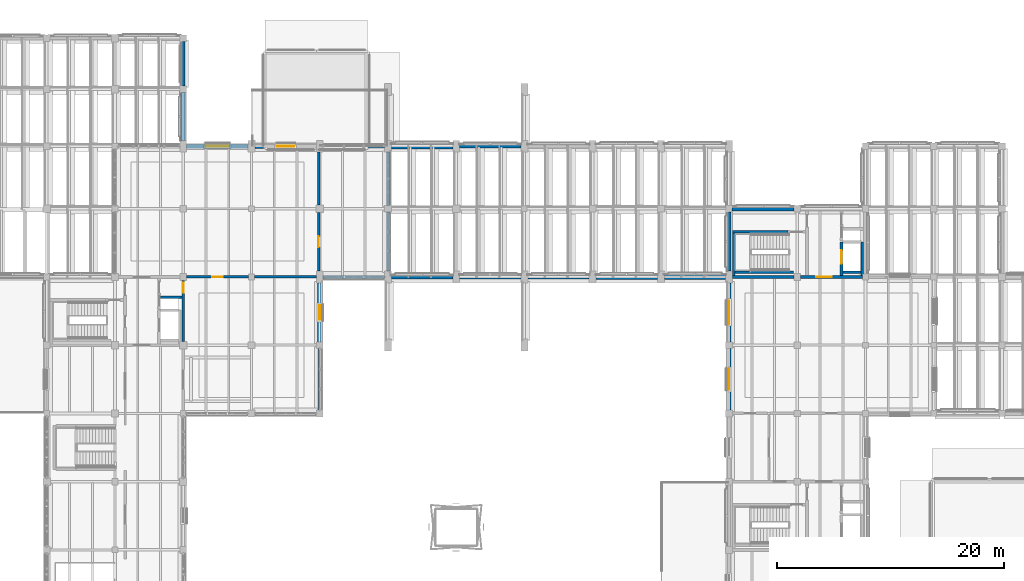
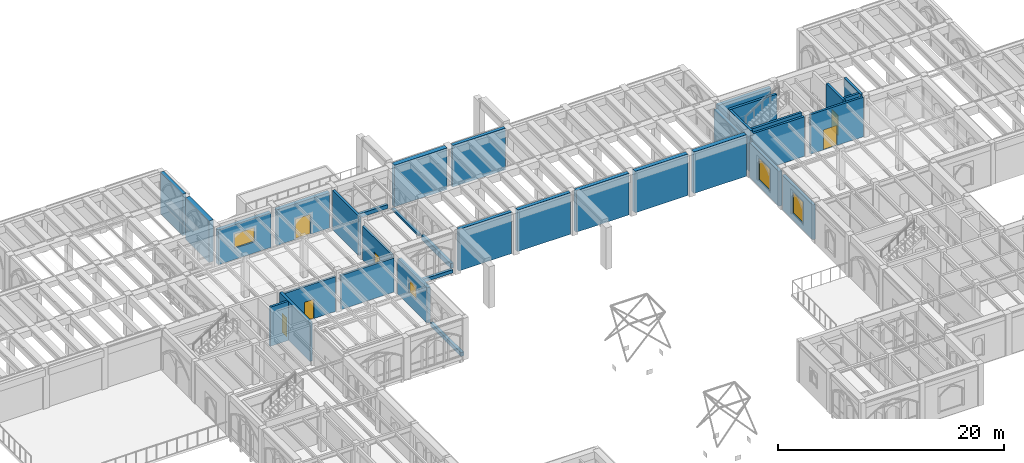
# One storey, part 82 of 127: 35 walls, 6 doors, 4 windows, 10 openings.
"""IFC4 building model written with IfcOpenShell, lengths in metres."""

from ifc_helpers import new_model, si_unit, direction, frame, frame_2d, origin, place, context, subcontext, project, spatial, rectangle, extrude, material, layer, layer_set, type_object, element, fill, save


model = new_model("IFC4")

# Units and contexts
model_context = context("Model", 3, precision=1e-05, world=origin(), true_north=direction((0.0, 1.0)))
body_context = subcontext(model_context, "Body", "Model", "MODEL_VIEW")
ifc_project = project(units=[si_unit("LENGTHUNIT", "METRE"), si_unit("AREAUNIT", "SQUARE_METRE"), si_unit("VOLUMEUNIT", "CUBIC_METRE"), si_unit("PLANEANGLEUNIT", "RADIAN"), si_unit("MASSUNIT", "GRAM", prefix="KILO")], contexts=[model_context])

# Site, building, storey
site_placement = place(None, origin())
site = spatial("IfcSite", under=ifc_project, at=site_placement, CompositionType="ELEMENT")
building_placement = place(site_placement, origin())
building = spatial("IfcBuilding", under=site, at=building_placement, Name="Cumevento Cable Car Station", CompositionType="ELEMENT")
storey_placement = place(building_placement, frame((0.0, 0.0, 4.5)))
storey = spatial("IfcBuildingStorey", under=building, at=storey_placement, Name="L02", CompositionType="ELEMENT", Elevation=4.5)

# Walls
ifc_material_1 = material(Name="Gnaisse Facoidal Stone Ashlar 85 MPa", Category="masonry")
ifc_layer_1 = layer(ifc_material_1, 0.294921875)
ifc_layer_set_1 = layer_set([ifc_layer_1], Name="Gnaisse Facoidal Stone Ashlar 85 MPa")
wall_type_1 = type_object("IfcWallType", Name="Exterior Envelope Wall EW-295 295", PredefinedType="SOLIDWALL", material=ifc_layer_set_1)
wall_1_placement = place(storey_placement, frame((82.0, 38.72509765625, 0.0), z_axis=(0.0, 0.0, 1.0), x_axis=(0.0, -1.0, 0.0)))
element("IfcWall", 1, at=wall_1_placement, inside=storey, type_object=wall_type_1, Name="Exterior Sill Curb Wall EW-295 L02 #123", PredefinedType="SOLIDWALL", context=body_context, shape_type="SweptSolid", body=[
    extrude(rectangle(XDim=5.425048828125, YDim=0.294921875, at=frame_2d((2.71240234375, 0.0))), origin(), (0.0, 0.0, 1.0), 0.409912109375),
])
wall_2_placement = place(storey_placement, frame((87.699951171875, 45.0, 0.0), z_axis=(0.0, 0.0, 1.0), x_axis=(-1.0, 0.0, 0.0)))
element("IfcWall", 2, at=wall_2_placement, inside=storey, type_object=wall_type_1, Name="Exterior Sill Curb Wall EW-295 L02 #152", PredefinedType="SOLIDWALL", context=body_context, shape_type="SweptSolid", body=[
    extrude(rectangle(XDim=5.39990234375, YDim=0.294921875, at=frame_2d((2.699951171875, 0.0))), origin(), (0.0, 0.0, 1.0), 0.360107421875),
])
wall_3_placement = place(storey_placement, frame((82.300048828125, 56.5, 0.0), z_axis=(0.0, 0.0, 1.0), x_axis=(1.0, 0.0, 0.0)))
element("IfcWall", 3, at=wall_3_placement, inside=storey, type_object=wall_type_1, Name="Exterior Sill Curb Wall EW-295 L02 #153", PredefinedType="SOLIDWALL", context=body_context, shape_type="SweptSolid", body=[
    extrude(rectangle(XDim=5.39990234375, YDim=0.294921875, at=frame_2d((2.699951171875, 0.0))), origin(), (0.0, 0.0, 1.0), 0.409912109375),
])
wall_4_placement = place(storey_placement, frame((88.0, 50.699951171875, 0.0), z_axis=(0.0, 0.0, 1.0), x_axis=(0.0, -1.0, 0.0)))
element("IfcWall", 4, at=wall_4_placement, inside=storey, type_object=wall_type_1, Name="Exterior Sill Curb Wall EW-295 L02 #155", PredefinedType="SOLIDWALL", context=body_context, shape_type="SweptSolid", body=[
    extrude(rectangle(XDim=5.175048828125, YDim=0.294921875, at=frame_2d((2.58740234375, 0.0))), origin(), (0.0, 0.0, 1.0), 0.52001953125),
])
wall_5_placement = place(storey_placement, frame((88.0, 55.97509765625, 0.0), z_axis=(0.0, 0.0, 1.0), x_axis=(0.0, -1.0, 0.0)))
element("IfcWall", 5, at=wall_5_placement, inside=storey, type_object=wall_type_1, Name="Exterior Sill Curb Wall EW-295 L02 #157", PredefinedType="SOLIDWALL", context=body_context, shape_type="SweptSolid", body=[
    extrude(rectangle(XDim=4.675048828125, YDim=0.294921875, at=frame_2d((2.33740234375, 0.0))), origin(), (0.0, 0.0, 1.0), 0.2099609375),
])

# Wall, opening, window
wall_6_placement = place(storey_placement, frame((118.0, 33.300048828125, 0.0), z_axis=(0.0, 0.0, 1.0), x_axis=(0.0, 1.0, 0.0)))
wall_6 = element("IfcWall", 6, at=wall_6_placement, inside=storey, type_object=wall_type_1, Name="Exterior Wall EW-295 L02 #171", PredefinedType="SOLIDWALL", context=body_context, shape_type="SweptSolid", body=[
    extrude(rectangle(XDim=5.39990234375, YDim=0.294921875, at=frame_2d((2.699951171875, 0.0))), origin(), (0.0, 0.0, 1.0), 3.778076171875),
])
opening_1_placement = place(wall_6_placement, frame((1.77490234375, 0.0, 0.699951171875)))
opening_1 = element("IfcOpeningElement", 7, at=opening_1_placement, cuts=wall_6, Name="Opening WN-L02-059", PredefinedType="OPENING", context=body_context, shape_type="SweptSolid", body=[
    extrude(rectangle(XDim=1.85009765625, YDim=2.35009765625, at=frame_2d((0.925048828125, 1.175048828125))), frame((0.0, 0.157470703125, 0.0), z_axis=(0.0, -1.0, 0.0), x_axis=(1.0, 0.0, 0.0)), (0.0, 0.0, 1.0), 0.31494140625),
])
ifc_material_2 = material(Name="Anodised Bronze Aluminium & Laminated Solar Glass", Category="aluminium")
window_type_1 = type_object("IfcWindowType", Name="Lancet Window WN-11 1850x2350", PartitioningType="DOUBLE_PANEL_VERTICAL", PredefinedType="WINDOW", material=ifc_material_2)
window_1_placement = place(opening_1_placement, origin())
window_1 = element("IfcWindow", 8, at=window_1_placement, inside=storey, type_object=window_type_1, Name="Lancet Window WN-L02-059 (WN-11)", OverallHeight=2.35009765625, OverallWidth=1.85009765625, PartitioningType="SINGLE_PANEL", PredefinedType="WINDOW", context=body_context, shape_type="SweptSolid", body=[
    extrude(rectangle(XDim=1.85009765625, YDim=2.35009765625, at=frame_2d((0.925048828125, 1.175048828125))), frame((0.0, 0.030029296875, 0.0), z_axis=(0.0, -1.0, 0.0), x_axis=(1.0, 0.0, 0.0)), (0.0, 0.0, 1.0), 0.06005859375),
])
fill(opening_1, window_1)

ifc_material_3 = material(Name="Gnaisse Facoidal Stone Ashlar 85 MPa", Category="masonry")
ifc_layer_2 = layer(ifc_material_3, 0.324951171875)
ifc_layer_set_2 = layer_set([ifc_layer_2], Name="Gnaisse Facoidal Stone Ashlar 85 MPa")
wall_type_2 = type_object("IfcWallType", Name="Exterior Envelope Wall EW-325 325", PredefinedType="SOLIDWALL", material=ifc_layer_set_2)
wall_7_placement = place(storey_placement, frame((118.0, 39.300048828125, 0.0), z_axis=(0.0, 0.0, 1.0), x_axis=(0.0, 1.0, 0.0)))
wall_7 = element("IfcWall", 9, at=wall_7_placement, inside=storey, type_object=wall_type_2, Name="Exterior Wall EW-325 L02 #173", PredefinedType="SOLIDWALL", context=body_context, shape_type="SweptSolid", body=[
    extrude(rectangle(XDim=5.175048828125, YDim=0.324951171875, at=frame_2d((2.58740234375, 0.0))), origin(), (0.0, 0.0, 1.0), 3.778076171875),
])
opening_2_placement = place(wall_7_placement, frame((1.5625, 0.0, 0.699951171875)))
opening_2 = element("IfcOpeningElement", 10, at=opening_2_placement, cuts=wall_7, Name="Opening WN-L02-061", PredefinedType="OPENING", context=body_context, shape_type="SweptSolid", body=[
    extrude(rectangle(XDim=2.050048828125, YDim=2.39990234375, at=frame_2d((1.02490234375, 1.199951171875))), frame((0.0, 0.172607421875, 0.0), z_axis=(0.0, -1.0, 0.0), x_axis=(1.0, 0.0, 0.0)), (0.0, 0.0, 1.0), 0.344970703125),
])
ifc_material_4 = material(Name="Anodised Bronze Aluminium & Laminated Solar Glass", Category="aluminium")
window_type_2 = type_object("IfcWindowType", Name="Lancet Window WN-13 2050x2400", PartitioningType="DOUBLE_PANEL_VERTICAL", PredefinedType="WINDOW", material=ifc_material_4)
window_2_placement = place(opening_2_placement, origin())
window_2 = element("IfcWindow", 11, at=window_2_placement, inside=storey, type_object=window_type_2, Name="Lancet Window WN-L02-061 (WN-13)", OverallHeight=2.39990234375, OverallWidth=2.050048828125, PartitioningType="SINGLE_PANEL", PredefinedType="WINDOW", context=body_context, shape_type="SweptSolid", body=[
    extrude(rectangle(XDim=2.050048828125, YDim=2.39990234375, at=frame_2d((1.02490234375, 1.199951171875))), frame((0.0, 0.030029296875, 0.0), z_axis=(0.0, -1.0, 0.0), x_axis=(1.0, 0.0, 0.0)), (0.0, 0.0, 1.0), 0.06005859375),
])
fill(opening_2, window_2)

# Walls
ifc_material_5 = material(Name="Concrete C40/50", Category="concrete")
ifc_layer_3 = layer(ifc_material_5, 0.35498046875)
ifc_layer_set_3 = layer_set([ifc_layer_3], Name="Concrete C40/50")
wall_type_3 = type_object("IfcWallType", Name="Exterior Envelope Wall EW-355 355", PredefinedType="SOLIDWALL", material=ifc_layer_set_3)
wall_8_placement = place(storey_placement, frame((118.27490234375, 51.0, 0.0), z_axis=(0.0, 0.0, 1.0), x_axis=(1.0, 0.0, 0.0)))
element("IfcWall", 12, at=wall_8_placement, inside=storey, type_object=wall_type_3, Name="Exterior Wall EW-355 L02 #175", PredefinedType="SOLIDWALL", context=body_context, shape_type="SweptSolid", body=[
    extrude(rectangle(XDim=5.425048828125, YDim=0.35498046875, at=frame_2d((2.71240234375, 0.0))), origin(), (0.0, 0.0, 1.0), 3.782958984375),
])
wall_9_placement = place(storey_placement, frame((118.0, 45.52490234375, 0.0), z_axis=(0.0, 0.0, 1.0), x_axis=(0.0, 1.0, 0.0)))
element("IfcWall", 13, at=wall_9_placement, inside=storey, type_object=wall_type_3, Name="Exterior Wall EW-355 L02 #177", PredefinedType="SOLIDWALL", context=body_context, shape_type="SweptSolid", body=[
    extrude(rectangle(XDim=5.2001953125, YDim=0.35498046875, at=frame_2d((2.60009765625, 0.0))), origin(), (0.0, 0.0, 1.0), 3.576904296875),
])

# Wall, opening, window
ifc_material_6 = material(Name="Concrete C40/50", Category="concrete")
ifc_layer_4 = layer(ifc_material_6, 0.3701171875)
ifc_layer_set_4 = layer_set([ifc_layer_4], Name="Concrete C40/50")
wall_type_4 = type_object("IfcWallType", Name="Exterior Envelope Wall EW-370 370", PredefinedType="SOLIDWALL", material=ifc_layer_set_4)
wall_10_placement = place(storey_placement, frame((82.0, 44.47509765625, 0.0), z_axis=(0.0, 0.0, 1.0), x_axis=(0.0, -1.0, 0.0)))
wall_10 = element("IfcWall", 14, at=wall_10_placement, inside=storey, type_object=wall_type_4, Name="Exterior Wall EW-370 L02 #124", PredefinedType="SOLIDWALL", context=body_context, shape_type="SweptSolid", body=[
    extrude(rectangle(XDim=5.2001953125, YDim=0.3701171875, at=frame_2d((2.60009765625, 0.0))), origin(), (0.0, 0.0, 1.0), 3.821044921875),
])
opening_3_placement = place(wall_10_placement, frame((1.949951171875, 0.0, 1.300048828125)))
opening_3 = element("IfcOpeningElement", 15, at=opening_3_placement, cuts=wall_10, Name="Opening WN-L02-043", PredefinedType="OPENING", context=body_context, shape_type="SweptSolid", body=[
    extrude(rectangle(XDim=1.300048828125, YDim=1.449951171875, at=frame_2d((0.64990234375, 0.72509765625))), frame((0.0, 0.195068359375, 0.0), z_axis=(0.0, -1.0, 0.0), x_axis=(1.0, 0.0, 0.0)), (0.0, 0.0, 1.0), 0.39013671875),
])
ifc_material_7 = material(Name="Anodised Bronze Aluminium & Laminated Solar Glass", Category="aluminium")
window_type_3 = type_object("IfcWindowType", Name="Lancet Window WN-19 1300x1450", PartitioningType="SINGLE_PANEL", PredefinedType="WINDOW", material=ifc_material_7)
window_3_placement = place(opening_3_placement, origin())
window_3 = element("IfcWindow", 16, at=window_3_placement, inside=storey, type_object=window_type_3, Name="Lancet Window WN-L02-043 (WN-19)", OverallHeight=1.449951171875, OverallWidth=1.300048828125, PartitioningType="SINGLE_PANEL", PredefinedType="WINDOW", context=body_context, shape_type="SweptSolid", body=[
    extrude(rectangle(XDim=1.300048828125, YDim=1.449951171875, at=frame_2d((0.64990234375, 0.72509765625))), frame((0.0, 0.030029296875, 0.0), z_axis=(0.0, -1.0, 0.0), x_axis=(1.0, 0.0, 0.0)), (0.0, 0.0, 1.0), 0.06005859375),
])
fill(opening_3, window_3)

wall_11_placement = place(storey_placement, frame((70.300048828125, 56.5, 0.0), z_axis=(0.0, 0.0, 1.0), x_axis=(1.0, 0.0, 0.0)))
wall_11 = element("IfcWall", 17, at=wall_11_placement, inside=storey, type_object=wall_type_4, Name="Exterior Wall EW-370 L02 #150", PredefinedType="SOLIDWALL", context=body_context, shape_type="SweptSolid", body=[
    extrude(rectangle(XDim=5.39990234375, YDim=0.3701171875, at=frame_2d((2.699951171875, 0.0))), origin(), (0.0, 0.0, 1.0), 3.762939453125),
])
opening_4_placement = place(wall_11_placement, frame((1.675048828125, 0.0, 1.199951171875)))
opening_4 = element("IfcOpeningElement", 18, at=opening_4_placement, cuts=wall_11, Name="Opening WN-L02-048", PredefinedType="OPENING", context=body_context, shape_type="SweptSolid", body=[
    extrude(rectangle(XDim=2.050048828125, YDim=1.550048828125, at=frame_2d((1.02490234375, 0.77490234375))), frame((0.0, 0.195068359375, 0.0), z_axis=(0.0, -1.0, 0.0), x_axis=(1.0, 0.0, 0.0)), (0.0, 0.0, 1.0), 0.39013671875),
])
ifc_material_8 = material(Name="Anodised Bronze Aluminium & Laminated Solar Glass", Category="aluminium")
window_type_4 = type_object("IfcWindowType", Name="Lancet Window WN-24 2050x1550", PartitioningType="DOUBLE_PANEL_VERTICAL", PredefinedType="WINDOW", material=ifc_material_8)
window_4_placement = place(opening_4_placement, origin())
window_4 = element("IfcWindow", 19, at=window_4_placement, inside=storey, type_object=window_type_4, Name="Lancet Window WN-L02-048 (WN-24)", OverallHeight=1.550048828125, OverallWidth=2.050048828125, PartitioningType="SINGLE_PANEL", PredefinedType="WINDOW", context=body_context, shape_type="SweptSolid", body=[
    extrude(rectangle(XDim=2.050048828125, YDim=1.550048828125, at=frame_2d((1.02490234375, 0.77490234375))), frame((0.0, 0.030029296875, 0.0), z_axis=(0.0, -1.0, 0.0), x_axis=(1.0, 0.0, 0.0)), (0.0, 0.0, 1.0), 0.06005859375),
])
fill(opening_4, window_4)

# Wall, opening, door
ifc_material_9 = material(Name="Gnaisse Facoidal Stone Ashlar 85 MPa", Category="masonry")
ifc_layer_5 = layer(ifc_material_9, 0.385009765625)
ifc_layer_set_5 = layer_set([ifc_layer_5], Name="Gnaisse Facoidal Stone Ashlar 85 MPa")
wall_type_5 = type_object("IfcWallType", Name="Exterior Envelope Wall EW-385 385", PredefinedType="SOLIDWALL", material=ifc_layer_set_5)
wall_12_placement = place(storey_placement, frame((76.300048828125, 56.5, 0.0), z_axis=(0.0, 0.0, 1.0), x_axis=(1.0, 0.0, 0.0)))
wall_12 = element("IfcWall", 20, at=wall_12_placement, inside=storey, type_object=wall_type_5, Name="Exterior Wall EW-385 L02 #151", PredefinedType="SOLIDWALL", context=body_context, shape_type="SweptSolid", body=[
    extrude(rectangle(XDim=5.39990234375, YDim=0.385009765625, at=frame_2d((2.699951171875, 0.0))), origin(), (0.0, 0.0, 1.0), 3.85693359375),
])
opening_5_placement = place(wall_12_placement, frame((1.919921875, 0.0, 0.0)))
opening_5 = element("IfcOpeningElement", 21, at=opening_5_placement, cuts=wall_12, Name="Opening DR-L02-T09", PredefinedType="OPENING", context=body_context, shape_type="SweptSolid", body=[
    extrude(rectangle(XDim=1.56005859375, YDim=2.179931640625, at=frame_2d((0.780029296875, 1.08984375))), frame((0.0, 0.202392578125, 0.0), z_axis=(0.0, -1.0, 0.0), x_axis=(1.0, 0.0, 0.0)), (0.0, 0.0, 1.0), 0.405029296875),
])
ifc_material_10 = material(Name="Anodised Bronze Aluminium & Laminated Glass", Category="aluminium")
door_type_1 = type_object("IfcDoorType", Name="Exterior Door ED-04 1560x2180", OperationType="NOTDEFINED", PredefinedType="DOOR", material=ifc_material_10)
door_1_placement = place(opening_5_placement, origin())
door_1 = element("IfcDoor", 22, at=door_1_placement, inside=storey, type_object=door_type_1, Name="Concourse Hillside Terrace Door", OperationType="DOUBLE_DOOR_SINGLE_SWING", OverallHeight=2.179931640625, OverallWidth=1.56005859375, PredefinedType="DOOR", context=body_context, shape_type="SweptSolid", body=[
    extrude(rectangle(XDim=1.56005859375, YDim=2.179931640625, at=frame_2d((0.780029296875, 1.08984375))), frame((0.0, 0.02490234375, 0.0), z_axis=(0.0, -1.0, 0.0), x_axis=(1.0, 0.0, 0.0)), (0.0, 0.0, 1.0), 0.050048828125),
])
fill(opening_5, door_1)

ifc_material_11 = material(Name="Concrete C40/50", Category="concrete")
ifc_layer_6 = layer(ifc_material_11, 0.219970703125)
ifc_layer_set_6 = layer_set([ifc_layer_6], Name="Concrete C40/50")
wall_type_6 = type_object("IfcWallType", Name="Interior Partition FW-220 220", PredefinedType="SOLIDWALL", material=ifc_layer_set_6)
wall_13_placement = place(storey_placement, frame((70.302001953125, 45.0, 0.0), z_axis=(0.0, 0.0, 1.0), x_axis=(1.0, 0.0, 0.0)))
wall_13 = element("IfcWall", 23, at=wall_13_placement, inside=storey, type_object=wall_type_6, Name="Interior Wall FW-220 L02 #610", PredefinedType="SOLIDWALL", context=body_context, shape_type="SweptSolid", body=[
    extrude(rectangle(XDim=5.4208984375, YDim=0.219970703125, at=frame_2d((2.71044921875, 0.0))), origin(), (0.0, 0.0, 1.0), 3.764892578125),
])
opening_6_placement = place(wall_13_placement, frame((2.240478515625, 0.0, 0.0)))
opening_6 = element("IfcOpeningElement", 24, at=opening_6_placement, cuts=wall_13, Name="Opening DR-L02-219", PredefinedType="OPENING", context=body_context, shape_type="SweptSolid", body=[
    extrude(rectangle(XDim=0.93994140625, YDim=2.10009765625, at=frame_2d((0.469970703125, 1.050048828125))), frame((0.0, 0.119873046875, 0.0), z_axis=(0.0, -1.0, 0.0), x_axis=(1.0, 0.0, 0.0)), (0.0, 0.0, 1.0), 0.239990234375),
])
ifc_material_12 = material(Name="Galvanised Painted Steel Fire Door", Category="steel")
door_type_2 = type_object("IfcDoorType", Name="Interior Door FD-08 940x2100", OperationType="NOTDEFINED", PredefinedType="DOOR", material=ifc_material_12)
door_2_placement = place(opening_6_placement, origin())
door_2 = element("IfcDoor", 25, at=door_2_placement, inside=storey, type_object=door_type_2, Name="Interior Door DR-L02-219 (FD-08)", OperationType="SINGLE_SWING_RIGHT", OverallHeight=2.10009765625, OverallWidth=0.93994140625, PredefinedType="DOOR", context=body_context, shape_type="SweptSolid", body=[
    extrude(rectangle(XDim=0.93994140625, YDim=2.10009765625, at=frame_2d((0.469970703125, 1.050048828125))), frame((0.0, 0.02490234375, 0.0), z_axis=(0.0, -1.0, 0.0), x_axis=(1.0, 0.0, 0.0)), (0.0, 0.0, 1.0), 0.050048828125),
])
fill(opening_6, door_2)

# Wall
wall_14_placement = place(storey_placement, frame((76.277099609375, 45.0, 0.0), z_axis=(0.0, 0.0, 1.0), x_axis=(1.0, 0.0, 0.0)))
element("IfcWall", 26, at=wall_14_placement, inside=storey, type_object=wall_type_6, Name="Interior Wall FW-220 L02 #611", PredefinedType="SOLIDWALL", context=body_context, shape_type="SweptSolid", body=[
    extrude(rectangle(XDim=5.4208984375, YDim=0.219970703125, at=frame_2d((2.71044921875, 0.0))), origin(), (0.0, 0.0, 1.0), 3.68896484375),
])

# Wall, opening, door
wall_15_placement = place(storey_placement, frame((81.89990234375, 45.527099609375, 0.0), z_axis=(0.0, 0.0, 1.0), x_axis=(0.0, 1.0, 0.0)))
wall_15 = element("IfcWall", 27, at=wall_15_placement, inside=storey, type_object=wall_type_6, Name="Interior Wall FW-220 L02 #615", PredefinedType="SOLIDWALL", context=body_context, shape_type="SweptSolid", body=[
    extrude(rectangle(XDim=5.14599609375, YDim=0.219970703125, at=frame_2d((2.572998046875, 0.0))), origin(), (0.0, 0.0, 1.0), 3.6201171875),
])
opening_7_placement = place(wall_15_placement, frame((2.10302734375, 0.0, 0.0)))
opening_7 = element("IfcOpeningElement", 28, at=opening_7_placement, cuts=wall_15, Name="Opening DR-L02-230", PredefinedType="OPENING", context=body_context, shape_type="SweptSolid", body=[
    extrude(rectangle(XDim=0.93994140625, YDim=2.10009765625, at=frame_2d((0.469970703125, 1.050048828125))), frame((0.0, 0.119873046875, 0.0), z_axis=(0.0, -1.0, 0.0), x_axis=(1.0, 0.0, 0.0)), (0.0, 0.0, 1.0), 0.239990234375),
])
door_3_placement = place(opening_7_placement, origin())
door_3 = element("IfcDoor", 29, at=door_3_placement, inside=storey, type_object=door_type_2, Name="Interior Door DR-L02-230 (FD-08)", OperationType="SINGLE_SWING_RIGHT", OverallHeight=2.10009765625, OverallWidth=0.93994140625, PredefinedType="DOOR", context=body_context, shape_type="SweptSolid", body=[
    extrude(rectangle(XDim=0.93994140625, YDim=2.10009765625, at=frame_2d((0.469970703125, 1.050048828125))), frame((0.0, 0.02490234375, 0.0), z_axis=(0.0, -1.0, 0.0), x_axis=(1.0, 0.0, 0.0)), (0.0, 0.0, 1.0), 0.050048828125),
])
fill(opening_7, door_3)

# Walls
wall_16_placement = place(storey_placement, frame((81.89990234375, 51.326904296875, 0.0), z_axis=(0.0, 0.0, 1.0), x_axis=(0.0, 1.0, 0.0)))
element("IfcWall", 30, at=wall_16_placement, inside=storey, type_object=wall_type_6, Name="Interior Wall FW-220 L02 #616", PredefinedType="SOLIDWALL", context=body_context, shape_type="SweptSolid", body=[
    extrude(rectangle(XDim=4.64599609375, YDim=0.219970703125, at=frame_2d((2.322998046875, 0.0))), origin(), (0.0, 0.0, 1.0), 4.263916015625),
])
ifc_material_13 = material(Name="Concrete C40/50", Category="concrete")
ifc_layer_7 = layer(ifc_material_13, 0.22998046875)
ifc_layer_set_7 = layer_set([ifc_layer_7], Name="Concrete C40/50")
wall_type_7 = type_object("IfcWallType", Name="Interior Shear Wall CW-230 230", PredefinedType="SHEAR", material=ifc_layer_set_7)
wall_17_placement = place(storey_placement, frame((68.0048828125, 43.219970703125, 0.0), z_axis=(0.0, 0.0, 1.0), x_axis=(1.0, 0.0, 0.0)))
element("IfcWall", 31, at=wall_17_placement, inside=storey, type_object=wall_type_7, Name="Interior Wall CW-230 L02 #168", PredefinedType="SHEAR", context=body_context, shape_type="SweptSolid", body=[
    extrude(rectangle(XDim=1.8701171875, YDim=0.22998046875, at=frame_2d((0.93505859375, 0.0))), origin(), (0.0, 0.0, 1.0), 4.22802734375),
])
wall_18_placement = place(storey_placement, frame((118.300048828125, 45.0, 0.0), z_axis=(0.0, 0.0, 1.0), x_axis=(1.0, 0.0, 0.0)))
element("IfcWall", 32, at=wall_18_placement, inside=storey, type_object=wall_type_7, Name="Interior Wall CW-230 L02 #481", PredefinedType="SHEAR", context=body_context, shape_type="SweptSolid", body=[
    extrude(rectangle(XDim=5.39990234375, YDim=0.22998046875, at=frame_2d((2.699951171875, 0.0))), origin(), (0.0, 0.0, 1.0), 4.27587890625),
])

# Wall, opening, door
wall_19_placement = place(storey_placement, frame((124.300048828125, 45.0, 0.0), z_axis=(0.0, 0.0, 1.0), x_axis=(1.0, 0.0, 0.0)))
wall_19 = element("IfcWall", 33, at=wall_19_placement, inside=storey, type_object=wall_type_7, Name="Interior Wall CW-230 L02 #482", PredefinedType="SHEAR", context=body_context, shape_type="SweptSolid", body=[
    extrude(rectangle(XDim=5.425048828125, YDim=0.22998046875, at=frame_2d((2.71240234375, 0.0))), origin(), (0.0, 0.0, 1.0), 4.27587890625),
])
opening_8_placement = place(wall_19_placement, frame((1.360107421875, 0.0, 0.0)))
opening_8 = element("IfcOpeningElement", 34, at=opening_8_placement, cuts=wall_19, Name="Opening DR-L02-158", PredefinedType="OPENING", context=body_context, shape_type="SweptSolid", body=[
    extrude(rectangle(XDim=1.3798828125, YDim=2.159912109375, at=frame_2d((0.68994140625, 1.080078125))), frame((0.0, 0.125, 0.0), z_axis=(0.0, -1.0, 0.0), x_axis=(1.0, 0.0, 0.0)), (0.0, 0.0, 1.0), 0.25),
])
ifc_material_14 = material(Name="Galvanised Painted Steel Fire Door", Category="steel")
door_type_3 = type_object("IfcDoorType", Name="Interior Door FD-04 1380x2160", OperationType="NOTDEFINED", PredefinedType="DOOR", material=ifc_material_14)
door_4_placement = place(opening_8_placement, origin())
door_4 = element("IfcDoor", 35, at=door_4_placement, inside=storey, type_object=door_type_3, Name="Core CORE6 S_lobby Fire Door L02", OperationType="DOUBLE_DOOR_SINGLE_SWING", OverallHeight=2.159912109375, OverallWidth=1.3798828125, PredefinedType="DOOR", context=body_context, shape_type="SweptSolid", body=[
    extrude(rectangle(XDim=1.3798828125, YDim=2.159912109375, at=frame_2d((0.68994140625, 1.080078125))), frame((0.0, 0.02490234375, 0.0), z_axis=(0.0, -1.0, 0.0), x_axis=(1.0, 0.0, 0.0)), (0.0, 0.0, 1.0), 0.050048828125),
])
fill(opening_8, door_4)

# Walls
wall_20_placement = place(storey_placement, frame((118.405029296875, 45.114990234375, 0.0), z_axis=(0.0, 0.0, 1.0), x_axis=(0.0, 1.0, 0.0)))
element("IfcWall", 36, at=wall_20_placement, inside=storey, type_object=wall_type_7, Name="Interior Wall CW-230 L02 #483", PredefinedType="SHEAR", context=body_context, shape_type="SweptSolid", body=[
    extrude(rectangle(XDim=3.735107421875, YDim=0.22998046875, at=frame_2d((1.86767578125, 0.0))), origin(), (0.0, 0.0, 1.0), 4.5),
])
wall_21_placement = place(storey_placement, frame((118.52001953125, 45.405029296875, 0.0), z_axis=(0.0, 0.0, 1.0), x_axis=(1.0, 0.0, 0.0)))
element("IfcWall", 37, at=wall_21_placement, inside=storey, type_object=wall_type_7, Name="Interior Wall CW-230 L02 #484", PredefinedType="SHEAR", context=body_context, shape_type="SweptSolid", body=[
    extrude(rectangle(XDim=5.1298828125, YDim=0.22998046875, at=frame_2d((2.56494140625, 0.0))), origin(), (0.0, 0.0, 1.0), 4.5),
])
wall_22_placement = place(storey_placement, frame((128.0048828125, 45.419921875, 0.0), z_axis=(0.0, 0.0, 1.0), x_axis=(1.0, 0.0, 0.0)))
element("IfcWall", 38, at=wall_22_placement, inside=storey, type_object=wall_type_7, Name="Interior Wall CW-230 L02 #489", PredefinedType="SHEAR", context=body_context, shape_type="SweptSolid", body=[
    extrude(rectangle(XDim=1.580078125, YDim=0.22998046875, at=frame_2d((0.7900390625, 0.0))), origin(), (0.0, 0.0, 1.0), 4.5),
])
wall_23_placement = place(storey_placement, frame((129.699951171875, 45.114990234375, 0.0), z_axis=(0.0, 0.0, 1.0), x_axis=(0.0, 1.0, 0.0)))
element("IfcWall", 39, at=wall_23_placement, inside=storey, type_object=wall_type_7, Name="Interior Wall CW-230 L02 #490", PredefinedType="SHEAR", context=body_context, shape_type="SweptSolid", body=[
    extrude(rectangle(XDim=2.965087890625, YDim=0.22998046875, at=frame_2d((1.482421875, 0.0))), origin(), (0.0, 0.0, 1.0), 4.5),
])

# Wall, opening, door
ifc_material_15 = material(Name="Concrete C40/50", Category="concrete")
ifc_layer_8 = layer(ifc_material_15, 0.25)
ifc_layer_set_8 = layer_set([ifc_layer_8], Name="Concrete C40/50")
wall_type_8 = type_object("IfcWallType", Name="Interior Shear Wall CW-250 250", PredefinedType="SHEAR", material=ifc_layer_set_8)
wall_24_placement = place(storey_placement, frame((70.0, 39.324951171875, 0.0), z_axis=(0.0, 0.0, 1.0), x_axis=(0.0, 1.0, 0.0)))
wall_24 = element("IfcWall", 40, at=wall_24_placement, inside=storey, type_object=wall_type_8, Name="Interior Wall CW-250 L02 #157", PredefinedType="SHEAR", context=body_context, shape_type="SweptSolid", body=[
    extrude(rectangle(XDim=5.375, YDim=0.25, at=frame_2d((2.6875, 0.0))), origin(), (0.0, 0.0, 1.0), 4.22802734375),
])
opening_9_placement = place(wall_24_placement, frame((4.284912109375, 0.0, 0.0)))
opening_9 = element("IfcOpeningElement", 41, at=opening_9_placement, cuts=wall_24, Name="Opening DR-L02-010", PredefinedType="OPENING", context=body_context, shape_type="SweptSolid", body=[
    extrude(rectangle(XDim=0.8798828125, YDim=2.080078125, at=frame_2d((0.43994140625, 1.0400390625))), frame((0.0, 0.135009765625, 0.0), z_axis=(0.0, -1.0, 0.0), x_axis=(1.0, 0.0, 0.0)), (0.0, 0.0, 1.0), 0.27001953125),
])
ifc_material_16 = material(Name="Galvanised Painted Steel Fire Door", Category="steel")
door_type_4 = type_object("IfcDoorType", Name="Interior Door FD-07 880x2080", OperationType="NOTDEFINED", PredefinedType="DOOR", material=ifc_material_16)
door_5_placement = place(opening_9_placement, origin())
door_5 = element("IfcDoor", 42, at=door_5_placement, inside=storey, type_object=door_type_4, Name="Core CORE1 E_vest Fire Door L02", OperationType="SINGLE_SWING_RIGHT", OverallHeight=2.080078125, OverallWidth=0.8798828125, PredefinedType="DOOR", context=body_context, shape_type="SweptSolid", body=[
    extrude(rectangle(XDim=0.8798828125, YDim=2.080078125, at=frame_2d((0.43994140625, 1.0400390625))), frame((0.0, 0.02490234375, 0.0), z_axis=(0.0, -1.0, 0.0), x_axis=(1.0, 0.0, 0.0)), (0.0, 0.0, 1.0), 0.050048828125),
])
fill(opening_9, door_5)

# Wall
wall_25_placement = place(storey_placement, frame((118.2900390625, 48.97509765625, 0.0), z_axis=(0.0, 0.0, 1.0), x_axis=(1.0, 0.0, 0.0)))
element("IfcWall", 43, at=wall_25_placement, inside=storey, type_object=wall_type_8, Name="Interior Wall CW-250 L02 #485", PredefinedType="SHEAR", context=body_context, shape_type="SweptSolid", body=[
    extrude(rectangle(XDim=4.869873046875, YDim=0.25, at=frame_2d((2.43505859375, 0.0))), origin(), (0.0, 0.0, 1.0), 4.5),
])

# Wall, opening, door
wall_26_placement = place(storey_placement, frame((127.8798828125, 45.114990234375, 0.0), z_axis=(0.0, 0.0, 1.0), x_axis=(0.0, 1.0, 0.0)))
wall_26 = element("IfcWall", 44, at=wall_26_placement, inside=storey, type_object=wall_type_8, Name="Interior Wall CW-250 L02 #488", PredefinedType="SHEAR", context=body_context, shape_type="SweptSolid", body=[
    extrude(rectangle(XDim=2.965087890625, YDim=0.25, at=frame_2d((1.482421875, 0.0))), origin(), (0.0, 0.0, 1.0), 4.5),
])
opening_10_placement = place(wall_26_placement, frame((1.054931640625, 0.0, 0.0)))
opening_10 = element("IfcOpeningElement", 45, at=opening_10_placement, cuts=wall_26, Name="Opening LD-LF06-L02", PredefinedType="OPENING", context=body_context, shape_type="SweptSolid", body=[
    extrude(rectangle(XDim=1.159912109375, YDim=2.179931640625, at=frame_2d((0.580078125, 1.08984375))), frame((0.0, 0.135009765625, 0.0), z_axis=(0.0, -1.0, 0.0), x_axis=(1.0, 0.0, 0.0)), (0.0, 0.0, 1.0), 0.27001953125),
])
ifc_material_17 = material(Name="Brushed Stainless Steel Lift Door", Category="steel")
door_type_5 = type_object("IfcDoorType", Name="Interior Door LD-02 1160x2180", OperationType="NOTDEFINED", PredefinedType="DOOR", material=ifc_material_17)
door_6_placement = place(opening_10_placement, origin())
door_6 = element("IfcDoor", 46, at=door_6_placement, inside=storey, type_object=door_type_5, Name="Lift Landing Door LD-LF06-L02", OperationType="DOUBLE_DOOR_SLIDING", OverallHeight=2.179931640625, OverallWidth=1.159912109375, PredefinedType="DOOR", context=body_context, shape_type="SweptSolid", body=[
    extrude(rectangle(XDim=1.159912109375, YDim=2.179931640625, at=frame_2d((0.580078125, 1.08984375))), frame((0.0, 0.02490234375, 0.0), z_axis=(0.0, -1.0, 0.0), x_axis=(1.0, 0.0, 0.0)), (0.0, 0.0, 1.0), 0.050048828125),
])
fill(opening_10, door_6)

# Walls
ifc_material_18 = material(Name="Concrete C40/50", Category="concrete")
ifc_layer_9 = layer(ifc_material_18, 0.340087890625)
ifc_layer_set_9 = layer_set([ifc_layer_9], Name="Concrete C40/50")
wall_type_9 = type_object("IfcWallType", Name="Retaining Wall RW-340 340", PredefinedType="USERDEFINED", material=ifc_layer_set_9)
for number, where, z_axis, x_axis, name in (
    (47, (88.300048828125, 45.0, 0.0), (0.0, 0.0, 1.0), (1.0, 0.0, 0.0), "Retaining Wall RW-340 L02 #48"),
    (48, (94.300048828125, 56.5, 0.0), (0.0, 0.0, 1.0), (1.0, 0.0, 0.0), "Retaining Wall RW-340 L02 #54"),
):
    element("IfcWall", number, at=place(storey_placement, frame(where, z_axis=z_axis, x_axis=x_axis)), inside=storey, type_object=wall_type_9, Name=name, ObjectType="RETAININGWALL", PredefinedType="USERDEFINED", context=body_context, shape_type="SweptSolid", body=[
        extrude(rectangle(XDim=5.39990234375, YDim=0.340087890625, at=frame_2d((2.699951171875, 0.0))), origin(), (0.0, 0.0, 1.0), 4.5),
    ])
wall_27_placement = place(storey_placement, frame((70.0, 61.77490234375, 0.0), z_axis=(0.0, 0.0, 1.0), x_axis=(0.0, 1.0, 0.0)))
element("IfcWall", 49, at=wall_27_placement, inside=storey, type_object=wall_type_9, Name="Retaining Wall RW-340 L02 #72", ObjectType="RETAININGWALL", PredefinedType="USERDEFINED", context=body_context, shape_type="SweptSolid", body=[
    extrude(rectangle(XDim=3.9501953125, YDim=0.340087890625, at=frame_2d((1.97509765625, 0.0))), origin(), (0.0, 0.0, 1.0), 4.5),
])
ifc_material_19 = material(Name="Concrete C40/50", Category="concrete")
ifc_layer_10 = layer(ifc_material_19, 0.360107421875)
ifc_layer_set_10 = layer_set([ifc_layer_10], Name="Concrete C40/50")
wall_type_10 = type_object("IfcWallType", Name="Retaining Wall RW-360 360", PredefinedType="USERDEFINED", material=ifc_layer_set_10)
wall_28_placement = place(storey_placement, frame((94.300048828125, 45.0, 0.0), z_axis=(0.0, 0.0, 1.0), x_axis=(1.0, 0.0, 0.0)))
element("IfcWall", 50, at=wall_28_placement, inside=storey, type_object=wall_type_10, Name="Retaining Wall RW-360 L02 #49", ObjectType="RETAININGWALL", PredefinedType="USERDEFINED", context=body_context, shape_type="SweptSolid", body=[
    extrude(rectangle(XDim=5.39990234375, YDim=0.360107421875, at=frame_2d((2.699951171875, 0.0))), origin(), (0.0, 0.0, 1.0), 4.5),
])
ifc_material_20 = material(Name="Concrete C40/50", Category="concrete")
ifc_layer_11 = layer(ifc_material_20, 0.385009765625)
ifc_layer_set_11 = layer_set([ifc_layer_11], Name="Concrete C40/50")
wall_type_11 = type_object("IfcWallType", Name="Retaining Wall RW-385 385", PredefinedType="USERDEFINED", material=ifc_layer_set_11)
wall_29_placement = place(storey_placement, frame((100.300048828125, 45.0, 0.0), z_axis=(0.0, 0.0, 1.0), x_axis=(1.0, 0.0, 0.0)))
element("IfcWall", 51, at=wall_29_placement, inside=storey, type_object=wall_type_11, Name="Retaining Wall RW-385 L02 #50", ObjectType="RETAININGWALL", PredefinedType="USERDEFINED", context=body_context, shape_type="SweptSolid", body=[
    extrude(rectangle(XDim=5.39990234375, YDim=0.385009765625, at=frame_2d((2.699951171875, 0.0))), origin(), (0.0, 0.0, 1.0), 4.5),
])
ifc_material_21 = material(Name="Concrete C40/50", Category="concrete")
ifc_layer_12 = layer(ifc_material_21, 0.409912109375)
ifc_layer_set_12 = layer_set([ifc_layer_12], Name="Concrete C40/50")
wall_type_12 = type_object("IfcWallType", Name="Retaining Wall RW-410 410", PredefinedType="USERDEFINED", material=ifc_layer_set_12)
wall_30_placement = place(storey_placement, frame((106.300048828125, 45.0, 0.0), z_axis=(0.0, 0.0, 1.0), x_axis=(1.0, 0.0, 0.0)))
element("IfcWall", 52, at=wall_30_placement, inside=storey, type_object=wall_type_12, Name="Retaining Wall RW-410 L02 #51", ObjectType="RETAININGWALL", PredefinedType="USERDEFINED", context=body_context, shape_type="SweptSolid", body=[
    extrude(rectangle(XDim=5.39990234375, YDim=0.409912109375, at=frame_2d((2.699951171875, 0.0))), origin(), (0.0, 0.0, 1.0), 4.5),
])
ifc_material_22 = material(Name="Concrete C40/50", Category="concrete")
ifc_layer_13 = layer(ifc_material_22, 0.43505859375)
ifc_layer_set_13 = layer_set([ifc_layer_13], Name="Concrete C40/50")
wall_type_13 = type_object("IfcWallType", Name="Retaining Wall RW-435 435", PredefinedType="USERDEFINED", material=ifc_layer_set_13)
wall_31_placement = place(storey_placement, frame((112.300048828125, 45.0, 0.0), z_axis=(0.0, 0.0, 1.0), x_axis=(1.0, 0.0, 0.0)))
element("IfcWall", 53, at=wall_31_placement, inside=storey, type_object=wall_type_13, Name="Retaining Wall RW-435 L02 #52", ObjectType="RETAININGWALL", PredefinedType="USERDEFINED", context=body_context, shape_type="SweptSolid", body=[
    extrude(rectangle(XDim=5.39990234375, YDim=0.43505859375, at=frame_2d((2.699951171875, 0.0))), origin(), (0.0, 0.0, 1.0), 4.5),
])
ifc_material_23 = material(Name="Concrete C40/50", Category="concrete")
ifc_layer_14 = layer(ifc_material_23, 0.4599609375)
ifc_layer_set_14 = layer_set([ifc_layer_14], Name="Concrete C40/50")
wall_type_14 = type_object("IfcWallType", Name="Retaining Wall RW-460 460", PredefinedType="USERDEFINED", material=ifc_layer_set_14)
wall_32_placement = place(storey_placement, frame((88.300048828125, 56.5, 0.0), z_axis=(0.0, 0.0, 1.0), x_axis=(1.0, 0.0, 0.0)))
element("IfcWall", 54, at=wall_32_placement, inside=storey, type_object=wall_type_14, Name="Retaining Wall RW-460 L02 #53", ObjectType="RETAININGWALL", PredefinedType="USERDEFINED", context=body_context, shape_type="SweptSolid", body=[
    extrude(rectangle(XDim=5.39990234375, YDim=0.4599609375, at=frame_2d((2.699951171875, 0.0))), origin(), (0.0, 0.0, 1.0), 4.5),
])
wall_33_placement = place(storey_placement, frame((70.0, 57.02490234375, 0.0), z_axis=(0.0, 0.0, 1.0), x_axis=(0.0, 1.0, 0.0)))
element("IfcWall", 55, at=wall_33_placement, inside=storey, type_object=wall_type_14, Name="Retaining Wall RW-460 L02 #71", ObjectType="RETAININGWALL", PredefinedType="USERDEFINED", context=body_context, shape_type="SweptSolid", body=[
    extrude(rectangle(XDim=4.2001953125, YDim=0.4599609375, at=frame_2d((2.10009765625, 0.0))), origin(), (0.0, 0.0, 1.0), 4.5),
])

save(model, "model.ifc")
